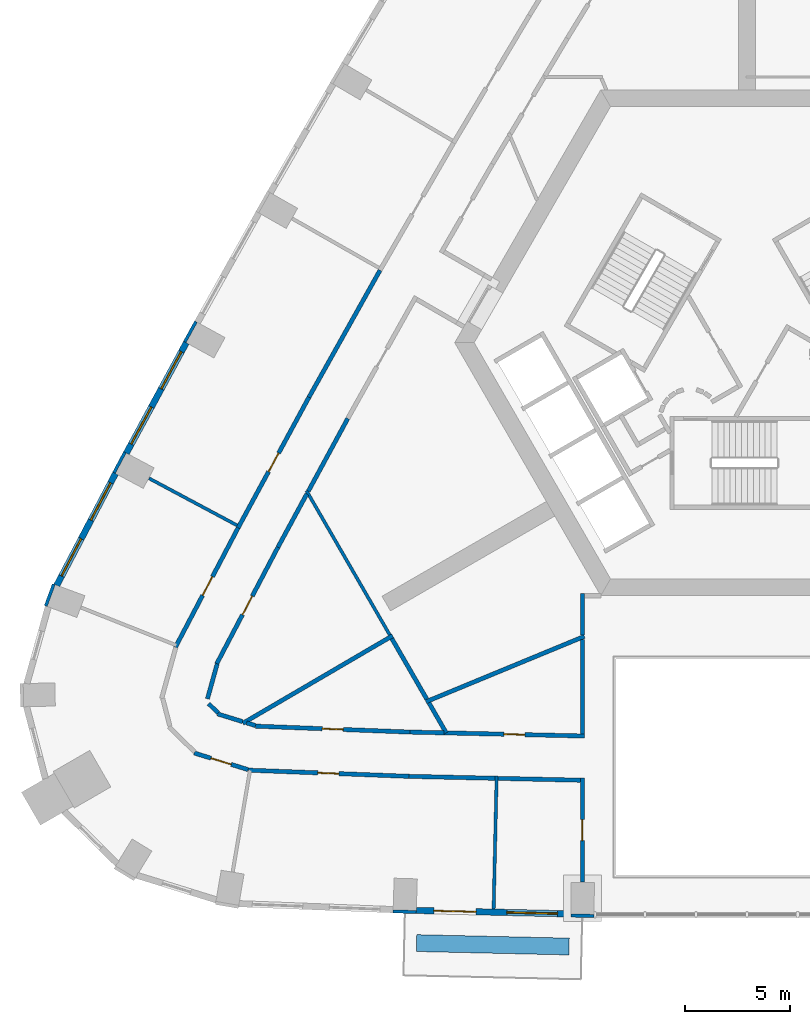
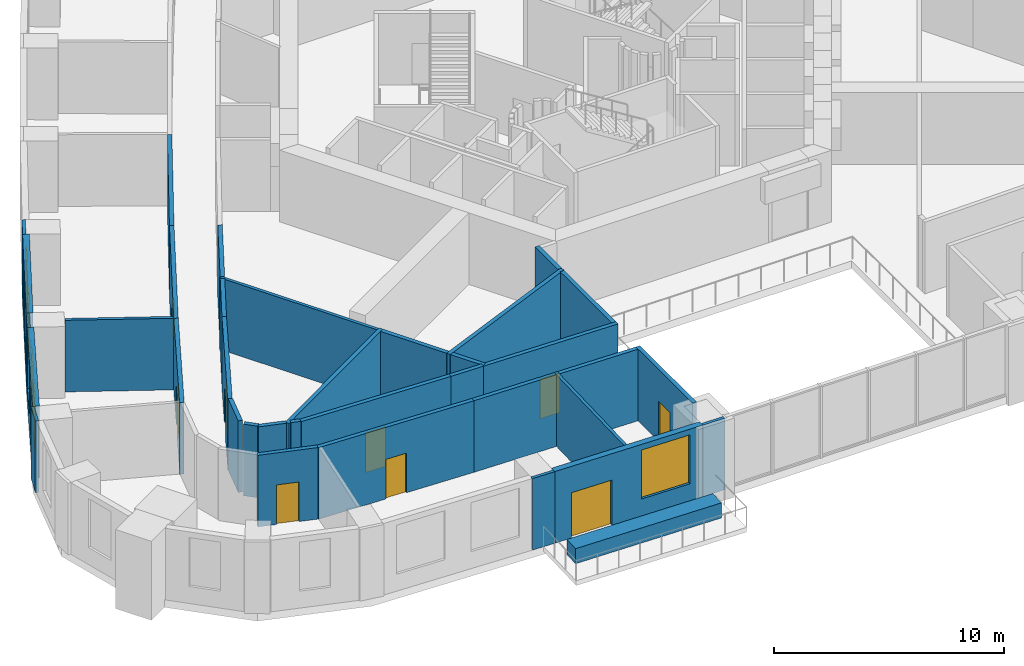
# One storey, part 4 of 12: 36 walls, 9 doors, 5 windows, 14 openings.
"""IFC4 building model written with IfcOpenShell, lengths in metres."""

from ifc_helpers import new_model, si_unit, direction, frame, frame_2d, origin, place, context, subcontext, project, spatial, rectangle, extrude, material, layer, layer_set, type_object, element, fill, save


model = new_model("IFC4")

# Units and contexts
model_context = context("Model", 3, precision=1e-05, world=origin(), true_north=direction((0.0, 1.0)))
body_context = subcontext(model_context, "Body", "Model", "MODEL_VIEW")
ifc_project = project(units=[si_unit("LENGTHUNIT", "METRE"), si_unit("AREAUNIT", "SQUARE_METRE"), si_unit("VOLUMEUNIT", "CUBIC_METRE"), si_unit("PLANEANGLEUNIT", "RADIAN"), si_unit("MASSUNIT", "GRAM", prefix="KILO")], contexts=[model_context])

# Site, building, storey
site_placement = place(None, origin())
site = spatial("IfcSite", under=ifc_project, at=site_placement, CompositionType="ELEMENT")
building_placement = place(site_placement, origin())
building = spatial("IfcBuilding", under=site, at=building_placement, Name="Entoto Arch Interchange Tower", CompositionType="ELEMENT")
storey_placement = place(building_placement, frame((0.0, 0.0, 155.0)))
storey = spatial("IfcBuildingStorey", under=building, at=storey_placement, Name="L34", CompositionType="ELEMENT", Elevation=155.0)

# Walls
ifc_material_1 = material(Name="Gypsum board partition on steel studs", Category="steel")
ifc_layer_1 = layer(ifc_material_1, 0.14990234375)
ifc_layer_set_1 = layer_set([ifc_layer_1], Name="Gypsum board partition on steel studs")
wall_type_1 = type_object("IfcWallType", Name="PARTITION 150", PredefinedType="PARTITIONING", material=ifc_layer_set_1)
wall_1_placement = place(storey_placement, frame((-16.93896484375, -11.360107421875, 0.0), z_axis=(0.0, 0.0, 1.0), x_axis=(-0.500053473428, 0.865994528685, 0.0)))
element("IfcWall", 1, at=wall_1_placement, inside=storey, type_object=wall_type_1, Name="wall:L34:p119", PredefinedType="PARTITIONING", context=body_context, shape_type="SweptSolid", body=[
    extrude(rectangle(XDim=7.895263671875, YDim=0.14990234375, at=frame_2d((3.94775390625, 0.0))), origin(), (0.0, 0.0, 1.0), 3.800048828125),
])
wall_2_placement = place(storey_placement, frame((-24.181884765625, -6.162109375, 0.0), z_axis=(0.0, 0.0, 1.0), x_axis=(-0.88214427755, 0.470979270866, 0.0)))
element("IfcWall", 2, at=wall_2_placement, inside=storey, type_object=wall_type_1, Name="wall:L34:p135", PredefinedType="PARTITIONING", context=body_context, shape_type="SweptSolid", body=[
    extrude(rectangle(XDim=4.730712890625, YDim=0.14990234375, at=frame_2d((2.365234375, 0.0))), origin(), (0.0, 0.0, 1.0), 3.800048828125),
])
wall_3_placement = place(storey_placement, frame((-11.867919921875, -18.06298828125, 0.0), z_axis=(0.0, 0.0, 1.0), x_axis=(-0.022551528502, -0.999745681942, 0.0)))
element("IfcWall", 3, at=wall_3_placement, inside=storey, type_object=wall_type_1, Name="wall:L34:p138", PredefinedType="PARTITIONING", context=body_context, shape_type="SweptSolid", body=[
    extrude(rectangle(XDim=6.30078125, YDim=0.14990234375, at=frame_2d((3.150390625, 0.0))), origin(), (0.0, 0.0, 1.0), 3.800048828125),
])
ifc_layer_2 = layer(ifc_material_1, 0.199951171875)
ifc_layer_set_2 = layer_set([ifc_layer_2], Name="Gypsum board partition on steel studs")
wall_type_2 = type_object("IfcWallType", Name="PARTITION 200", PredefinedType="PARTITIONING", material=ifc_layer_set_2)
wall_4_placement = place(storey_placement, frame((-18.929931640625, -1.094970703125, 0.0), z_axis=(0.0, 0.0, 1.0), x_axis=(-0.476854303058, -0.878982351162, 0.0)))
element("IfcWall", 4, at=wall_4_placement, inside=storey, type_object=wall_type_2, Name="wall:L34:p028", PredefinedType="PARTITIONING", context=body_context, shape_type="SweptSolid", body=[
    extrude(rectangle(XDim=3.923828125, YDim=0.199951171875, at=frame_2d((1.9619140625, 0.0))), origin(), (0.0, 0.0, 1.0), 3.800048828125),
])

# Wall, opening, door
wall_5_placement = place(storey_placement, frame((-14.35595703125, -16.006103515625, 0.0), z_axis=(0.0, 0.0, 1.0), x_axis=(0.999743177933, -0.022662263286, 0.0)))
wall_5 = element("IfcWall", 5, at=wall_5_placement, inside=storey, type_object=wall_type_2, Name="wall:L34:p031", PredefinedType="PARTITIONING", context=body_context, shape_type="SweptSolid", body=[
    extrude(rectangle(XDim=6.65771484375, YDim=0.199951171875, at=frame_2d((3.328857421875, 0.0))), origin(), (0.0, 0.0, 1.0), 3.800048828125),
])
opening_1_placement = place(wall_5_placement, frame((2.8291015625, 0.0, 0.0)))
opening_1 = element("IfcOpeningElement", 6, at=opening_1_placement, cuts=wall_5, Name="Opening L34-D25", PredefinedType="OPENING", context=body_context, shape_type="SweptSolid", body=[
    extrude(rectangle(XDim=1.0, YDim=2.10009765625, at=frame_2d((0.5, 1.050048828125))), frame((0.0, 0.10986328125, 0.0), z_axis=(0.0, -1.0, 0.0), x_axis=(1.0, 0.0, 0.0)), (0.0, 0.0, 1.0), 0.219970703125),
])
ifc_material_2 = material(Name="Timber door leaf in Steel S235 frame", Category="steel")
door_type_1 = type_object("IfcDoorType", Name="DOOR DS-10 1000x2100", OperationType="SINGLE_SWING_LEFT", PredefinedType="DOOR", material=ifc_material_2)
door_1_placement = place(opening_1_placement, origin())
door_1 = element("IfcDoor", 7, at=door_1_placement, inside=storey, type_object=door_type_1, Name="door:L34:25", OperationType="SINGLE_SWING_LEFT", OverallHeight=2.10009765625, OverallWidth=1.0, PredefinedType="DOOR", context=body_context, shape_type="SweptSolid", body=[
    extrude(rectangle(XDim=1.0, YDim=2.10009765625, at=frame_2d((0.5, 1.050048828125))), frame((0.0, 0.02490234375, 0.0), z_axis=(0.0, -1.0, 0.0), x_axis=(1.0, 0.0, 0.0)), (0.0, 0.0, 1.0), 0.050048828125),
])
fill(opening_1, door_1)

# Wall
wall_6_placement = place(storey_placement, frame((-20.873046875, -4.676025390625, 0.0), z_axis=(0.0, 0.0, 1.0), x_axis=(-0.476781985736, -0.879021579984, 0.0)))
element("IfcWall", 8, at=wall_6_placement, inside=storey, type_object=wall_type_2, Name="wall:L34:p032", PredefinedType="PARTITIONING", context=body_context, shape_type="SweptSolid", body=[
    extrude(rectangle(XDim=2.869140625, YDim=0.199951171875, at=frame_2d((1.4345703125, 0.0))), origin(), (0.0, 0.0, 1.0), 3.800048828125),
])

# Wall, opening, door
wall_7_placement = place(storey_placement, frame((-22.240966796875, -7.197998046875, 0.0), z_axis=(0.0, 0.0, 1.0), x_axis=(-0.465089990515, -0.885263407536, 0.0)))
wall_7 = element("IfcWall", 9, at=wall_7_placement, inside=storey, type_object=wall_type_2, Name="wall:L34:p033", PredefinedType="PARTITIONING", context=body_context, shape_type="SweptSolid", body=[
    extrude(rectangle(XDim=6.23974609375, YDim=0.199951171875, at=frame_2d((3.119873046875, 0.0))), origin(), (0.0, 0.0, 1.0), 3.800048828125),
])
opening_2_placement = place(wall_7_placement, frame((2.6201171875, 0.0, 0.0)))
opening_2 = element("IfcOpeningElement", 10, at=opening_2_placement, cuts=wall_7, Name="Opening L34-D26", PredefinedType="OPENING", context=body_context, shape_type="SweptSolid", body=[
    extrude(rectangle(XDim=1.0, YDim=2.10009765625, at=frame_2d((0.5, 1.050048828125))), frame((0.0, 0.10986328125, 0.0), z_axis=(0.0, -1.0, 0.0), x_axis=(1.0, 0.0, 0.0)), (0.0, 0.0, 1.0), 0.219970703125),
])
door_2_placement = place(opening_2_placement, origin())
door_2 = element("IfcDoor", 11, at=door_2_placement, inside=storey, type_object=door_type_1, Name="door:L34:26", OperationType="SINGLE_SWING_LEFT", OverallHeight=2.10009765625, OverallWidth=1.0, PredefinedType="DOOR", context=body_context, shape_type="SweptSolid", body=[
    extrude(rectangle(XDim=1.0, YDim=2.10009765625, at=frame_2d((0.5, 1.050048828125))), frame((0.0, 0.02490234375, 0.0), z_axis=(0.0, -1.0, 0.0), x_axis=(1.0, 0.0, 0.0)), (0.0, 0.0, 1.0), 0.050048828125),
])
fill(opening_2, door_2)

# Walls
wall_8_placement = place(storey_placement, frame((-25.123046875, -12.72998046875, 0.0), z_axis=(0.0, 0.0, 1.0), x_axis=(-0.268139825244, -0.963380005044, 0.0)))
element("IfcWall", 12, at=wall_8_placement, inside=storey, type_object=wall_type_2, Name="wall:L34:p034", PredefinedType="PARTITIONING", context=body_context, shape_type="SweptSolid", body=[
    extrude(rectangle(XDim=1.726318359375, YDim=0.199951171875, at=frame_2d((0.86328125, 0.0))), origin(), (0.0, 0.0, 1.0), 3.800048828125),
])
wall_9_placement = place(storey_placement, frame((-25.52587890625, -14.6259765625, 0.0), z_axis=(0.0, 0.0, 1.0), x_axis=(0.711758647644, -0.702424108003, 0.0)))
element("IfcWall", 13, at=wall_9_placement, inside=storey, type_object=wall_type_2, Name="wall:L34:p035", PredefinedType="PARTITIONING", context=body_context, shape_type="SweptSolid", body=[
    extrude(rectangle(XDim=0.627685546875, YDim=0.199951171875, at=frame_2d((0.31396484375, 0.0))), origin(), (0.0, 0.0, 1.0), 3.800048828125),
])
wall_10_placement = place(storey_placement, frame((-25.10302734375, -15.10791015625, 0.0), z_axis=(0.0, 0.0, 1.0), x_axis=(0.955420813731, -0.295247470251, 0.0)))
element("IfcWall", 14, at=wall_10_placement, inside=storey, type_object=wall_type_2, Name="wall:L34:p036", PredefinedType="PARTITIONING", context=body_context, shape_type="SweptSolid", body=[
    extrude(rectangle(XDim=1.240234375, YDim=0.199951171875, at=frame_2d((0.6201171875, 0.0))), origin(), (0.0, 0.0, 1.0), 3.800048828125),
])
wall_11_placement = place(storey_placement, frame((-23.72705078125, -15.531982421875, 0.0), z_axis=(0.0, 0.0, 1.0), x_axis=(0.955237350621, -0.295840504289, 0.0)))
element("IfcWall", 15, at=wall_11_placement, inside=storey, type_object=wall_type_2, Name="wall:L34:p037", PredefinedType="PARTITIONING", context=body_context, shape_type="SweptSolid", body=[
    extrude(rectangle(XDim=0.43994140625, YDim=0.199951171875, at=frame_2d((0.219970703125, 0.0))), origin(), (0.0, 0.0, 1.0), 3.800048828125),
])

# Wall, opening, door
wall_12_placement = place(storey_placement, frame((-23.31103515625, -15.68798828125, 0.0), z_axis=(0.0, 0.0, 1.0), x_axis=(0.999262695969, -0.038393546916, 0.0)))
wall_12 = element("IfcWall", 16, at=wall_12_placement, inside=storey, type_object=wall_type_2, Name="wall:L34:p038", PredefinedType="PARTITIONING", context=body_context, shape_type="SweptSolid", body=[
    extrude(rectangle(XDim=7.344482421875, YDim=0.199951171875, at=frame_2d((3.67236328125, 0.0))), origin(), (0.0, 0.0, 1.0), 3.800048828125),
])
opening_3_placement = place(wall_12_placement, frame((3.172119140625, 0.0, 0.0)))
opening_3 = element("IfcOpeningElement", 17, at=opening_3_placement, cuts=wall_12, Name="Opening L34-D27", PredefinedType="OPENING", context=body_context, shape_type="SweptSolid", body=[
    extrude(rectangle(XDim=1.0, YDim=2.10009765625, at=frame_2d((0.5, 1.050048828125))), frame((0.0, 0.10986328125, 0.0), z_axis=(0.0, -1.0, 0.0), x_axis=(1.0, 0.0, 0.0)), (0.0, 0.0, 1.0), 0.219970703125),
])
door_3_placement = place(opening_3_placement, origin())
door_3 = element("IfcDoor", 18, at=door_3_placement, inside=storey, type_object=door_type_1, Name="door:L34:27", OperationType="SINGLE_SWING_RIGHT", OverallHeight=2.10009765625, OverallWidth=1.0, PredefinedType="DOOR", context=body_context, shape_type="SweptSolid", body=[
    extrude(rectangle(XDim=1.0, YDim=2.10009765625, at=frame_2d((0.5, 1.050048828125))), frame((0.0, 0.02490234375, 0.0), z_axis=(0.0, -1.0, 0.0), x_axis=(1.0, 0.0, 0.0)), (0.0, 0.0, 1.0), 0.050048828125),
])
fill(opening_3, door_3)

# Wall
wall_13_placement = place(storey_placement, frame((-15.971923828125, -15.969970703125, 0.0), z_axis=(0.0, 0.0, 1.0), x_axis=(0.999750111735, -0.022354285623, 0.0)))
element("IfcWall", 19, at=wall_13_placement, inside=storey, type_object=wall_type_2, Name="wall:L34:p039", PredefinedType="PARTITIONING", context=body_context, shape_type="SweptSolid", body=[
    extrude(rectangle(XDim=1.616455078125, YDim=0.199951171875, at=frame_2d((0.80810546875, 0.0))), origin(), (0.0, 0.0, 1.0), 3.800048828125),
])

# Wall, opening, door
wall_14_placement = place(storey_placement, frame((-24.1298828125, -6.27490234375, 0.0), z_axis=(0.0, 0.0, 1.0), x_axis=(0.476981750532, 0.878913198023, 0.0)))
wall_14 = element("IfcWall", 20, at=wall_14_placement, inside=storey, type_object=wall_type_2, Name="wall:L34:p064", PredefinedType="PARTITIONING", context=body_context, shape_type="SweptSolid", body=[
    extrude(rectangle(XDim=7.046142578125, YDim=0.199951171875, at=frame_2d((3.52294921875, 0.0))), origin(), (0.0, 0.0, 1.0), 3.800048828125),
])
opening_4_placement = place(wall_14_placement, frame((3.02294921875, 0.0, 0.0)))
opening_4 = element("IfcOpeningElement", 21, at=opening_4_placement, cuts=wall_14, Name="Opening L34-D13", PredefinedType="OPENING", context=body_context, shape_type="SweptSolid", body=[
    extrude(rectangle(XDim=1.0, YDim=2.10009765625, at=frame_2d((0.5, 1.050048828125))), frame((0.0, 0.10986328125, 0.0), z_axis=(0.0, -1.0, 0.0), x_axis=(1.0, 0.0, 0.0)), (0.0, 0.0, 1.0), 0.219970703125),
])
door_4_placement = place(opening_4_placement, origin())
door_4 = element("IfcDoor", 22, at=door_4_placement, inside=storey, type_object=door_type_1, Name="door:L34:13", OperationType="SINGLE_SWING_RIGHT", OverallHeight=2.10009765625, OverallWidth=1.0, PredefinedType="DOOR", context=body_context, shape_type="SweptSolid", body=[
    extrude(rectangle(XDim=1.0, YDim=2.10009765625, at=frame_2d((0.5, 1.050048828125))), frame((0.0, 0.02490234375, 0.0), z_axis=(0.0, -1.0, 0.0), x_axis=(1.0, 0.0, 0.0)), (0.0, 0.0, 1.0), 0.050048828125),
])
fill(opening_4, door_4)

# Wall
wall_15_placement = place(storey_placement, frame((-20.76904296875, -0.08203125, 0.0), z_axis=(0.0, 0.0, 1.0), x_axis=(0.488387759141, 0.872626722443, 0.0)))
element("IfcWall", 23, at=wall_15_placement, inside=storey, type_object=wall_type_2, Name="wall:L34:p065", PredefinedType="PARTITIONING", context=body_context, shape_type="SweptSolid", body=[
    extrude(rectangle(XDim=6.896484375, YDim=0.199951171875, at=frame_2d((3.4482421875, 0.0))), origin(), (0.0, 0.0, 1.0), 3.800048828125),
])

# Wall, opening, door
wall_16_placement = place(storey_placement, frame((-27.10595703125, -11.944091796875, 0.0), z_axis=(0.0, 0.0, 1.0), x_axis=(0.464985599417, 0.885318243534, 0.0)))
wall_16 = element("IfcWall", 24, at=wall_16_placement, inside=storey, type_object=wall_type_2, Name="wall:L34:p066", PredefinedType="PARTITIONING", context=body_context, shape_type="SweptSolid", body=[
    extrude(rectangle(XDim=6.40234375, YDim=0.199951171875, at=frame_2d((3.201171875, 0.0))), origin(), (0.0, 0.0, 1.0), 3.800048828125),
])
opening_5_placement = place(wall_16_placement, frame((2.77587890625, 0.0, 0.0)))
opening_5 = element("IfcOpeningElement", 25, at=opening_5_placement, cuts=wall_16, Name="Opening L34-D14", PredefinedType="OPENING", context=body_context, shape_type="SweptSolid", body=[
    extrude(rectangle(XDim=1.0, YDim=2.10009765625, at=frame_2d((0.5, 1.050048828125))), frame((0.0, 0.10986328125, 0.0), z_axis=(0.0, -1.0, 0.0), x_axis=(1.0, 0.0, 0.0)), (0.0, 0.0, 1.0), 0.219970703125),
])
door_5_placement = place(opening_5_placement, origin())
door_5 = element("IfcDoor", 26, at=door_5_placement, inside=storey, type_object=door_type_1, Name="door:L34:14", OperationType="SINGLE_SWING_LEFT", OverallHeight=2.10009765625, OverallWidth=1.0, PredefinedType="DOOR", context=body_context, shape_type="SweptSolid", body=[
    extrude(rectangle(XDim=1.0, YDim=2.10009765625, at=frame_2d((0.5, 1.050048828125))), frame((0.0, 0.02490234375, 0.0), z_axis=(0.0, -1.0, 0.0), x_axis=(1.0, 0.0, 0.0)), (0.0, 0.0, 1.0), 0.050048828125),
])
fill(opening_5, door_5)

wall_17_placement = place(storey_placement, frame((-23.6630859375, -17.75, 0.0), z_axis=(0.0, 0.0, 1.0), x_axis=(-0.955509582123, 0.294960062501, 0.0)))
wall_17 = element("IfcWall", 27, at=wall_17_placement, inside=storey, type_object=wall_type_2, Name="wall:L34:p067", PredefinedType="PARTITIONING", context=body_context, shape_type="SweptSolid", body=[
    extrude(rectangle(XDim=2.66845703125, YDim=0.199951171875, at=frame_2d((1.334228515625, 0.0))), origin(), (0.0, 0.0, 1.0), 3.800048828125),
])
opening_6_placement = place(wall_17_placement, frame((0.833984375, 0.0, 0.0)))
opening_6 = element("IfcOpeningElement", 28, at=opening_6_placement, cuts=wall_17, Name="Opening L34-D15", PredefinedType="OPENING", context=body_context, shape_type="SweptSolid", body=[
    extrude(rectangle(XDim=1.0, YDim=2.10009765625, at=frame_2d((0.5, 1.050048828125))), frame((0.0, 0.10986328125, 0.0), z_axis=(0.0, -1.0, 0.0), x_axis=(1.0, 0.0, 0.0)), (0.0, 0.0, 1.0), 0.219970703125),
])
door_6_placement = place(opening_6_placement, origin())
door_6 = element("IfcDoor", 29, at=door_6_placement, inside=storey, type_object=door_type_1, Name="door:L34:15", OperationType="SINGLE_SWING_LEFT", OverallHeight=2.10009765625, OverallWidth=1.0, PredefinedType="DOOR", context=body_context, shape_type="SweptSolid", body=[
    extrude(rectangle(XDim=1.0, YDim=2.10009765625, at=frame_2d((0.5, 1.050048828125))), frame((0.0, 0.02490234375, 0.0), z_axis=(0.0, -1.0, 0.0), x_axis=(1.0, 0.0, 0.0)), (0.0, 0.0, 1.0), 0.050048828125),
])
fill(opening_6, door_6)

# Wall
wall_18_placement = place(storey_placement, frame((-11.945068359375, -18.162109375, 0.0), z_axis=(0.0, 0.0, 1.0), x_axis=(-0.999741589065, 0.022732247877, 0.0)))
element("IfcWall", 30, at=wall_18_placement, inside=storey, type_object=wall_type_2, Name="wall:L34:p071", PredefinedType="PARTITIONING", context=body_context, shape_type="SweptSolid", body=[
    extrude(rectangle(XDim=4.091796875, YDim=0.199951171875, at=frame_2d((2.0458984375, 0.0))), origin(), (0.0, 0.0, 1.0), 3.800048828125),
])

# Wall, opening, door
wall_19_placement = place(storey_placement, frame((-16.035888671875, -18.069091796875, 0.0), z_axis=(0.0, 0.0, 1.0), x_axis=(-0.999262637786, 0.038395061202, 0.0)))
wall_19 = element("IfcWall", 31, at=wall_19_placement, inside=storey, type_object=wall_type_2, Name="wall:L34:p072", PredefinedType="PARTITIONING", context=body_context, shape_type="SweptSolid", body=[
    extrude(rectangle(XDim=7.63671875, YDim=0.199951171875, at=frame_2d((3.818359375, 0.0))), origin(), (0.0, 0.0, 1.0), 3.800048828125),
])
opening_7_placement = place(wall_19_placement, frame((3.318115234375, 0.0, 0.0)))
opening_7 = element("IfcOpeningElement", 32, at=opening_7_placement, cuts=wall_19, Name="Opening L34-D16", PredefinedType="OPENING", context=body_context, shape_type="SweptSolid", body=[
    extrude(rectangle(XDim=1.0, YDim=2.10009765625, at=frame_2d((0.5, 1.050048828125))), frame((0.0, 0.10986328125, 0.0), z_axis=(0.0, -1.0, 0.0), x_axis=(1.0, 0.0, 0.0)), (0.0, 0.0, 1.0), 0.219970703125),
])
door_7_placement = place(opening_7_placement, origin())
door_7 = element("IfcDoor", 33, at=door_7_placement, inside=storey, type_object=door_type_1, Name="door:L34:16", OperationType="SINGLE_SWING_RIGHT", OverallHeight=2.10009765625, OverallWidth=1.0, PredefinedType="DOOR", context=body_context, shape_type="SweptSolid", body=[
    extrude(rectangle(XDim=1.0, YDim=2.10009765625, at=frame_2d((0.5, 1.050048828125))), frame((0.0, 0.02490234375, 0.0), z_axis=(0.0, -1.0, 0.0), x_axis=(1.0, 0.0, 0.0)), (0.0, 0.0, 1.0), 0.050048828125),
])
fill(opening_7, door_7)

# Walls
wall_20_placement = place(storey_placement, frame((-7.89990234375, -18.2529296875, 0.0), z_axis=(0.0, 0.0, 1.0), x_axis=(-0.999745510411, 0.022559131487, 0.0)))
element("IfcWall", 34, at=wall_20_placement, inside=storey, type_object=wall_type_2, Name="wall:L34:p073", PredefinedType="PARTITIONING", context=body_context, shape_type="SweptSolid", body=[
    extrude(rectangle(XDim=3.89599609375, YDim=0.199951171875, at=frame_2d((1.947998046875, 0.0))), origin(), (0.0, 0.0, 1.0), 3.800048828125),
])
wall_21_placement = place(storey_placement, frame((-7.800048828125, -11.367919921875, 0.0), z_axis=(0.0, 0.0, 1.0), x_axis=(0.0, 1.0, 0.0)))
element("IfcWall", 35, at=wall_21_placement, inside=storey, type_object=wall_type_2, Name="wall:L34:p105", PredefinedType="PARTITIONING", context=body_context, shape_type="SweptSolid", body=[
    extrude(rectangle(XDim=1.968994140625, YDim=0.199951171875, at=frame_2d((0.984375, 0.0))), origin(), (0.0, 0.0, 1.0), 3.800048828125),
])
wall_22_placement = place(storey_placement, frame((-7.800048828125, -16.054931640625, 0.0), z_axis=(0.0, 0.0, 1.0), x_axis=(0.0, 1.0, 0.0)))
element("IfcWall", 36, at=wall_22_placement, inside=storey, type_object=wall_type_2, Name="wall:L34:p107", PredefinedType="PARTITIONING", context=body_context, shape_type="SweptSolid", body=[
    extrude(rectangle(XDim=4.48681640625, YDim=0.199951171875, at=frame_2d((2.243408203125, 0.0))), origin(), (0.0, 0.0, 1.0), 3.800048828125),
])

# Wall, opening, door
wall_23_placement = place(storey_placement, frame((-7.800048828125, -23.0869140625, 0.0), z_axis=(0.0, 0.0, 1.0), x_axis=(0.0, 1.0, 0.0)))
wall_23 = element("IfcWall", 37, at=wall_23_placement, inside=storey, type_object=wall_type_2, Name="wall:L34:p109", PredefinedType="PARTITIONING", context=body_context, shape_type="SweptSolid", body=[
    extrude(rectangle(XDim=4.931884765625, YDim=0.199951171875, at=frame_2d((2.4658203125, 0.0))), origin(), (0.0, 0.0, 1.0), 3.800048828125),
])
opening_8_placement = place(wall_23_placement, frame((1.966064453125, 0.0, 0.0)))
opening_8 = element("IfcOpeningElement", 38, at=opening_8_placement, cuts=wall_23, Name="Opening L34-D17", PredefinedType="OPENING", context=body_context, shape_type="SweptSolid", body=[
    extrude(rectangle(XDim=1.0, YDim=2.10009765625, at=frame_2d((0.5, 1.050048828125))), frame((0.0, 0.10986328125, 0.0), z_axis=(0.0, -1.0, 0.0), x_axis=(1.0, 0.0, 0.0)), (0.0, 0.0, 1.0), 0.219970703125),
])
door_8_placement = place(opening_8_placement, origin())
door_8 = element("IfcDoor", 39, at=door_8_placement, inside=storey, type_object=door_type_1, Name="door:L34:17", OperationType="SINGLE_SWING_LEFT", OverallHeight=2.10009765625, OverallWidth=1.0, PredefinedType="DOOR", context=body_context, shape_type="SweptSolid", body=[
    extrude(rectangle(XDim=1.0, YDim=2.10009765625, at=frame_2d((0.5, 1.050048828125))), frame((0.0, 0.02490234375, 0.0), z_axis=(0.0, -1.0, 0.0), x_axis=(1.0, 0.0, 0.0)), (0.0, 0.0, 1.0), 0.050048828125),
])
fill(opening_8, door_8)

# Walls
wall_24_placement = place(storey_placement, frame((-7.7080078125, -11.429931640625, 0.0), z_axis=(0.0, 0.0, 1.0), x_axis=(-0.924285151797, -0.381702709144, 0.0)))
element("IfcWall", 40, at=wall_24_placement, inside=storey, type_object=wall_type_2, Name="wall:L34:p118", PredefinedType="PARTITIONING", context=body_context, shape_type="SweptSolid", body=[
    extrude(rectangle(XDim=8.12939453125, YDim=0.199951171875, at=frame_2d((4.064697265625, 0.0))), origin(), (0.0, 0.0, 1.0), 3.800048828125),
])
wall_25_placement = place(storey_placement, frame((-15.179931640625, -14.407958984375, 0.0), z_axis=(0.0, 0.0, 1.0), x_axis=(-0.499968694491, 0.866043477274, 0.0)))
element("IfcWall", 41, at=wall_25_placement, inside=storey, type_object=wall_type_2, Name="wall:L34:p120", PredefinedType="PARTITIONING", context=body_context, shape_type="SweptSolid", body=[
    extrude(rectangle(XDim=3.318603515625, YDim=0.199951171875, at=frame_2d((1.6591796875, 0.0))), origin(), (0.0, 0.0, 1.0), 3.800048828125),
])
wall_26_placement = place(storey_placement, frame((-14.256103515625, -16.009033203125, 0.0), z_axis=(0.0, 0.0, 1.0), x_axis=(-0.499786551025, 0.86614860354, 0.0)))
element("IfcWall", 42, at=wall_26_placement, inside=storey, type_object=wall_type_2, Name="wall:L34:p121", PredefinedType="PARTITIONING", context=body_context, shape_type="SweptSolid", body=[
    extrude(rectangle(XDim=1.648681640625, YDim=0.199951171875, at=frame_2d((0.82421875, 0.0))), origin(), (0.0, 0.0, 1.0), 3.800048828125),
])
wall_27_placement = place(storey_placement, frame((-16.802978515625, -11.39697265625, 0.0), z_axis=(0.0, 0.0, 1.0), x_axis=(-0.863203941699, -0.504855380318, 0.0)))
element("IfcWall", 43, at=wall_27_placement, inside=storey, type_object=wall_type_2, Name="wall:L34:p122", PredefinedType="PARTITIONING", context=body_context, shape_type="SweptSolid", body=[
    extrude(rectangle(XDim=8.232177734375, YDim=0.199951171875, at=frame_2d((4.1162109375, 0.0))), origin(), (0.0, 0.0, 1.0), 3.800048828125),
])
ifc_material_3 = material(Name="Board-marked precast concrete C50/60", Category="concrete")
ifc_layer_3 = layer(ifc_material_3, 0.800048828125)
ifc_layer_set_3 = layer_set([ifc_layer_3], Name="Board-marked precast concrete C50/60")
wall_type_3 = type_object("IfcWallType", Name="PLANTER RC 800 Vachellia abyssinica", PredefinedType="STANDARD", material=ifc_layer_set_3)
wall_28_placement = place(storey_placement, frame((-15.666015625, -25.97900390625, 0.0), z_axis=(0.0, 0.0, 1.0), x_axis=(0.999742931749, -0.02267312106, 0.0)))
element("IfcWall", 44, at=wall_28_placement, inside=storey, type_object=wall_type_3, Name="Planter S-02 L34", PredefinedType="STANDARD", context=body_context, shape_type="SweptSolid", body=[
    extrude(rectangle(XDim=7.236083984375, YDim=0.800048828125, at=frame_2d((3.6181640625, 0.0))), origin(), (0.0, 0.0, 1.0), 0.800048828125),
])

# Wall, openings, door, window
ifc_material_4 = material(Name="Welded tuff (ignimbrite) cladding, warm buff", Category="masonry")
ifc_layer_4 = layer(ifc_material_4, 0.300048828125)
ifc_layer_set_4 = layer_set([ifc_layer_4], Name="Welded tuff (ignimbrite) cladding, warm buff")
wall_type_4 = type_object("IfcWallType", Name="STONE INFILL WALL 300", PredefinedType="STANDARD", material=ifc_layer_set_4)
wall_29_placement = place(storey_placement, frame((-15.679931640625, -24.428955078125, 0.0), z_axis=(0.0, 0.0, 1.0), x_axis=(0.999743825009, -0.022633699594, 0.0)))
wall_29 = element("IfcWall", 45, at=wall_29_placement, inside=storey, type_object=wall_type_4, Name="Facade wall S-02 L34", PredefinedType="STANDARD", context=body_context, shape_type="SweptSolid", body=[
    extrude(rectangle(XDim=7.3349609375, YDim=0.300048828125, at=frame_2d((3.66748046875, 0.0))), origin(), (0.0, 0.0, 1.0), 3.800048828125),
])
opening_9_placement = place(wall_29_placement, frame((0.833984375, 0.0, 0.0)))
opening_9 = element("IfcOpeningElement", 46, at=opening_9_placement, cuts=wall_29, Name="Opening DB-S-02-L34", PredefinedType="OPENING", context=body_context, shape_type="SweptSolid", body=[
    extrude(rectangle(XDim=2.0, YDim=2.39990234375, at=frame_2d((1.0, 1.199951171875))), frame((0.0, 0.16015625, 0.0), z_axis=(0.0, -1.0, 0.0), x_axis=(1.0, 0.0, 0.0)), (0.0, 0.0, 1.0), 0.320068359375),
])
opening_10_placement = place(wall_29_placement, frame((4.301025390625, 0.0, 0.89990234375)))
opening_10 = element("IfcOpeningElement", 47, at=opening_10_placement, cuts=wall_29, Name="Opening WO-A", PredefinedType="OPENING", context=body_context, shape_type="SweptSolid", body=[
    extrude(rectangle(XDim=2.39990234375, YDim=2.60009765625, at=frame_2d((1.199951171875, 1.300048828125))), frame((0.0, 0.16015625, 0.0), z_axis=(0.0, -1.0, 0.0), x_axis=(1.0, 0.0, 0.0)), (0.0, 0.0, 1.0), 0.320068359375),
])
ifc_material_5 = material(Name="Aluminium and clear glass, anodised", Category="aluminium")
door_type_2 = type_object("IfcDoorType", Name="BALCONY DOOR DB 2000x2400", OperationType="SLIDING_TO_LEFT", PredefinedType="DOOR", material=ifc_material_5)
door_9_placement = place(opening_9_placement, origin())
door_9 = element("IfcDoor", 48, at=door_9_placement, inside=storey, type_object=door_type_2, Name="Balcony door S-02 L34", OperationType="SLIDING_TO_LEFT", OverallHeight=2.39990234375, OverallWidth=2.0, PredefinedType="DOOR", context=body_context, shape_type="SweptSolid", body=[
    extrude(rectangle(XDim=2.0, YDim=2.39990234375, at=frame_2d((1.0, 1.199951171875))), frame((0.0, 0.02490234375, 0.0), z_axis=(0.0, -1.0, 0.0), x_axis=(1.0, 0.0, 0.0)), (0.0, 0.0, 1.0), 0.050048828125),
])
fill(opening_9, door_9)
ifc_material_6 = material(Name="Clear glass, low-e double glazed", Category="glass")
window_type_1 = type_object("IfcWindowType", Name="WINDOW WO-A 2400x2600", PartitioningType="DOUBLE_PANEL_VERTICAL", PredefinedType="WINDOW", material=ifc_material_6)
window_1_placement = place(opening_10_placement, origin())
window_1 = element("IfcWindow", 49, at=window_1_placement, inside=storey, type_object=window_type_1, Name="Window WO-A S-02 L34", OverallHeight=2.60009765625, OverallWidth=2.39990234375, PartitioningType="SINGLE_PANEL", PredefinedType="WINDOW", context=body_context, shape_type="SweptSolid", body=[
    extrude(rectangle(XDim=2.39990234375, YDim=2.60009765625, at=frame_2d((1.199951171875, 1.300048828125))), frame((0.0, 0.030029296875, 0.0), z_axis=(0.0, -1.0, 0.0), x_axis=(1.0, 0.0, 0.0)), (0.0, 0.0, 1.0), 0.06005859375),
])
fill(opening_10, window_1)

# Wall, openings, windows
wall_30_placement = place(storey_placement, frame((-26.592041015625, 2.5009765625, 0.0), z_axis=(0.0, 0.0, 1.0), x_axis=(-0.476970695077, -0.878919197673, 0.0)))
wall_30 = element("IfcWall", 50, at=wall_30_placement, inside=storey, type_object=wall_type_4, Name="Facade wall NW-06 L34", PredefinedType="STANDARD", context=body_context, shape_type="SweptSolid", body=[
    extrude(rectangle(XDim=5.95849609375, YDim=0.300048828125, at=frame_2d((2.979248046875, 0.0))), origin(), (0.0, 0.0, 1.0), 3.800048828125),
])
opening_11_placement = place(wall_30_placement, frame((0.489990234375, 0.0, 0.89990234375)))
opening_11 = element("IfcOpeningElement", 51, at=opening_11_placement, cuts=wall_30, Name="Opening WO-C", PredefinedType="OPENING", context=body_context, shape_type="SweptSolid", body=[
    extrude(rectangle(XDim=2.0, YDim=2.60009765625, at=frame_2d((1.0, 1.300048828125))), frame((0.0, 0.16015625, 0.0), z_axis=(0.0, -1.0, 0.0), x_axis=(1.0, 0.0, 0.0)), (0.0, 0.0, 1.0), 0.320068359375),
])
opening_12_placement = place(wall_30_placement, frame((3.468994140625, 0.0, 0.89990234375)))
opening_12 = element("IfcOpeningElement", 52, at=opening_12_placement, cuts=wall_30, Name="Opening WO-C", PredefinedType="OPENING", context=body_context, shape_type="SweptSolid", body=[
    extrude(rectangle(XDim=2.0, YDim=2.60009765625, at=frame_2d((1.0, 1.300048828125))), frame((0.0, 0.16015625, 0.0), z_axis=(0.0, -1.0, 0.0), x_axis=(1.0, 0.0, 0.0)), (0.0, 0.0, 1.0), 0.320068359375),
])
window_type_2 = type_object("IfcWindowType", Name="WINDOW WO-C 2000x2600", PartitioningType="DOUBLE_PANEL_VERTICAL", PredefinedType="WINDOW", material=ifc_material_6)
window_2_placement = place(opening_11_placement, origin())
window_2 = element("IfcWindow", 53, at=window_2_placement, inside=storey, type_object=window_type_2, Name="Window WO-C NW-06 L34", OverallHeight=2.60009765625, OverallWidth=2.0, PartitioningType="SINGLE_PANEL", PredefinedType="WINDOW", context=body_context, shape_type="SweptSolid", body=[
    extrude(rectangle(XDim=2.0, YDim=2.60009765625, at=frame_2d((1.0, 1.300048828125))), frame((0.0, 0.030029296875, 0.0), z_axis=(0.0, -1.0, 0.0), x_axis=(1.0, 0.0, 0.0)), (0.0, 0.0, 1.0), 0.06005859375),
])
fill(opening_11, window_2)
window_3_placement = place(opening_12_placement, origin())
window_3 = element("IfcWindow", 54, at=window_3_placement, inside=storey, type_object=window_type_2, Name="Window WO-C NW-06 L34", OverallHeight=2.60009765625, OverallWidth=2.0, PartitioningType="SINGLE_PANEL", PredefinedType="WINDOW", context=body_context, shape_type="SweptSolid", body=[
    extrude(rectangle(XDim=2.0, YDim=2.60009765625, at=frame_2d((1.0, 1.300048828125))), frame((0.0, 0.030029296875, 0.0), z_axis=(0.0, -1.0, 0.0), x_axis=(1.0, 0.0, 0.0)), (0.0, 0.0, 1.0), 0.06005859375),
])
fill(opening_12, window_3)

wall_31_placement = place(storey_placement, frame((-29.950927734375, -3.705078125, 0.0), z_axis=(0.0, 0.0, 1.0), x_axis=(-0.465104650407, -0.885255705528, 0.0)))
wall_31 = element("IfcWall", 55, at=wall_31_placement, inside=storey, type_object=wall_type_4, Name="Facade wall NW-07 L34", PredefinedType="STANDARD", context=body_context, shape_type="SweptSolid", body=[
    extrude(rectangle(XDim=5.990234375, YDim=0.300048828125, at=frame_2d((2.9951171875, 0.0))), origin(), (0.0, 0.0, 1.0), 3.800048828125),
])
opening_13_placement = place(wall_31_placement, frame((0.498046875, 0.0, 0.89990234375)))
opening_13 = element("IfcOpeningElement", 56, at=opening_13_placement, cuts=wall_31, Name="Opening WO-C", PredefinedType="OPENING", context=body_context, shape_type="SweptSolid", body=[
    extrude(rectangle(XDim=2.0, YDim=2.60009765625, at=frame_2d((1.0, 1.300048828125))), frame((0.0, 0.16015625, 0.0), z_axis=(0.0, -1.0, 0.0), x_axis=(1.0, 0.0, 0.0)), (0.0, 0.0, 1.0), 0.320068359375),
])
opening_14_placement = place(wall_31_placement, frame((3.492919921875, 0.0, 0.89990234375)))
opening_14 = element("IfcOpeningElement", 57, at=opening_14_placement, cuts=wall_31, Name="Opening WO-C", PredefinedType="OPENING", context=body_context, shape_type="SweptSolid", body=[
    extrude(rectangle(XDim=2.0, YDim=2.60009765625, at=frame_2d((1.0, 1.300048828125))), frame((0.0, 0.16015625, 0.0), z_axis=(0.0, -1.0, 0.0), x_axis=(1.0, 0.0, 0.0)), (0.0, 0.0, 1.0), 0.320068359375),
])
window_4_placement = place(opening_13_placement, origin())
window_4 = element("IfcWindow", 58, at=window_4_placement, inside=storey, type_object=window_type_2, Name="Window WO-C NW-07 L34", OverallHeight=2.60009765625, OverallWidth=2.0, PartitioningType="SINGLE_PANEL", PredefinedType="WINDOW", context=body_context, shape_type="SweptSolid", body=[
    extrude(rectangle(XDim=2.0, YDim=2.60009765625, at=frame_2d((1.0, 1.300048828125))), frame((0.0, 0.030029296875, 0.0), z_axis=(0.0, -1.0, 0.0), x_axis=(1.0, 0.0, 0.0)), (0.0, 0.0, 1.0), 0.06005859375),
])
fill(opening_13, window_4)
window_5_placement = place(opening_14_placement, origin())
window_5 = element("IfcWindow", 59, at=window_5_placement, inside=storey, type_object=window_type_2, Name="Window WO-C NW-07 L34", OverallHeight=2.60009765625, OverallWidth=2.0, PartitioningType="SINGLE_PANEL", PredefinedType="WINDOW", context=body_context, shape_type="SweptSolid", body=[
    extrude(rectangle(XDim=2.0, YDim=2.60009765625, at=frame_2d((1.0, 1.300048828125))), frame((0.0, 0.030029296875, 0.0), z_axis=(0.0, -1.0, 0.0), x_axis=(1.0, 0.0, 0.0)), (0.0, 0.0, 1.0), 0.06005859375),
])
fill(opening_14, window_5)

# Walls
ifc_layer_5 = layer(ifc_material_4, 0.14990234375)
ifc_layer_set_5 = layer_set([ifc_layer_5], Name="Welded tuff (ignimbrite) cladding, warm buff")
wall_type_5 = type_object("IfcWallType", Name="STONE PIER CLADDING 150", PredefinedType="STANDARD", material=ifc_layer_set_5)
wall_32_placement = place(storey_placement, frame((-26.131103515625, 3.501953125, 0.0), z_axis=(0.0, 0.0, 1.0), x_axis=(-0.481680143513, -0.87634709981, 0.0)))
element("IfcWall", 60, at=wall_32_placement, inside=storey, type_object=wall_type_5, Name="Stone pier NW06 L34", PredefinedType="STANDARD", context=body_context, shape_type="SweptSolid", body=[
    extrude(rectangle(XDim=1.099853515625, YDim=0.14990234375, at=frame_2d((0.5498046875, 0.0))), origin(), (0.0, 0.0, 1.0), 3.800048828125),
])
for number, where, z_axis, x_axis, name in (
    (61, (-29.5029296875, -2.697998046875, 0.0), (0.0, 0.0, 1.0), (-0.470058271093, -0.88263538439, 0.0), "Stone pier NW07 L34"),
    (62, (-32.875, -8.9560546875, 0.0), (0.0, 0.0, 1.0), (-0.346425160624, -0.93807761304, 0.0), "Stone pier NW08 L34"),
):
    element("IfcWall", number, at=place(storey_placement, frame(where, z_axis=z_axis, x_axis=x_axis)), inside=storey, type_object=wall_type_5, Name=name, PredefinedType="STANDARD", context=body_context, shape_type="SweptSolid", body=[
        extrude(rectangle(XDim=1.10009765625, YDim=0.14990234375, at=frame_2d((0.550048828125, 0.0))), origin(), (0.0, 0.0, 1.0), 3.800048828125),
    ])
wall_33_placement = place(storey_placement, frame((-16.781005859375, -24.47412109375, 0.0), z_axis=(0.0, 0.0, 1.0), x_axis=(0.999523702549, -0.030860460829, 0.0)))
element("IfcWall", 63, at=wall_33_placement, inside=storey, type_object=wall_type_5, Name="Stone pier S02 L34", PredefinedType="STANDARD", context=body_context, shape_type="SweptSolid", body=[
    extrude(rectangle(XDim=1.099609375, YDim=0.14990234375, at=frame_2d((0.5498046875, 0.0))), origin(), (0.0, 0.0, 1.0), 3.800048828125),
])
wall_34_placement = place(storey_placement, frame((-8.34912109375, -24.676025390625, 0.0), z_axis=(0.0, 0.0, 1.0), x_axis=(0.999940879068, -0.010873746799, 0.0)))
element("IfcWall", 64, at=wall_34_placement, inside=storey, type_object=wall_type_5, Name="Stone pier S03 L34", PredefinedType="STANDARD", context=body_context, shape_type="SweptSolid", body=[
    extrude(rectangle(XDim=1.10009765625, YDim=0.14990234375, at=frame_2d((0.550048828125, 0.0))), origin(), (0.0, 0.0, 1.0), 3.800048828125),
])

save(model, "model.ifc")
